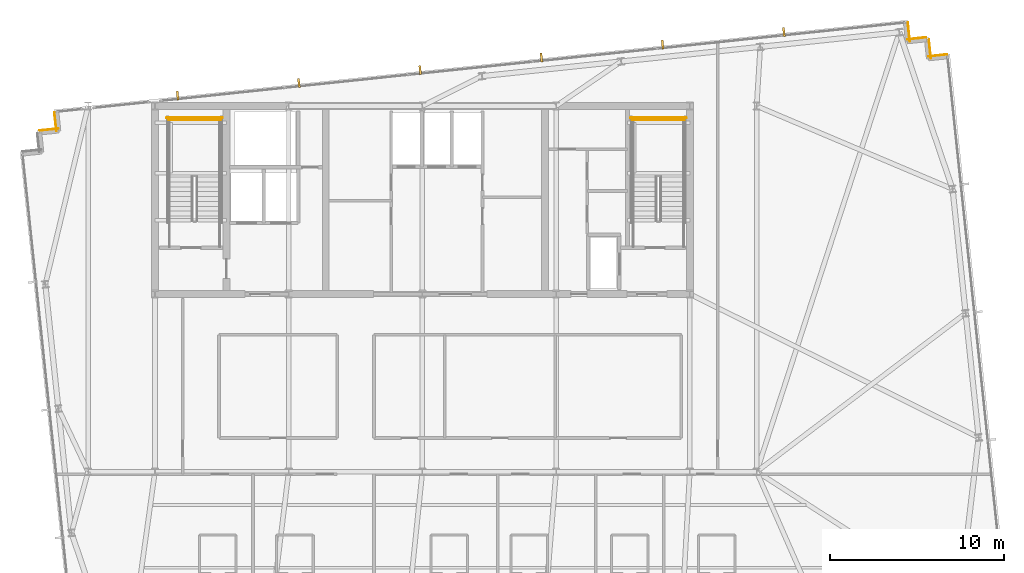
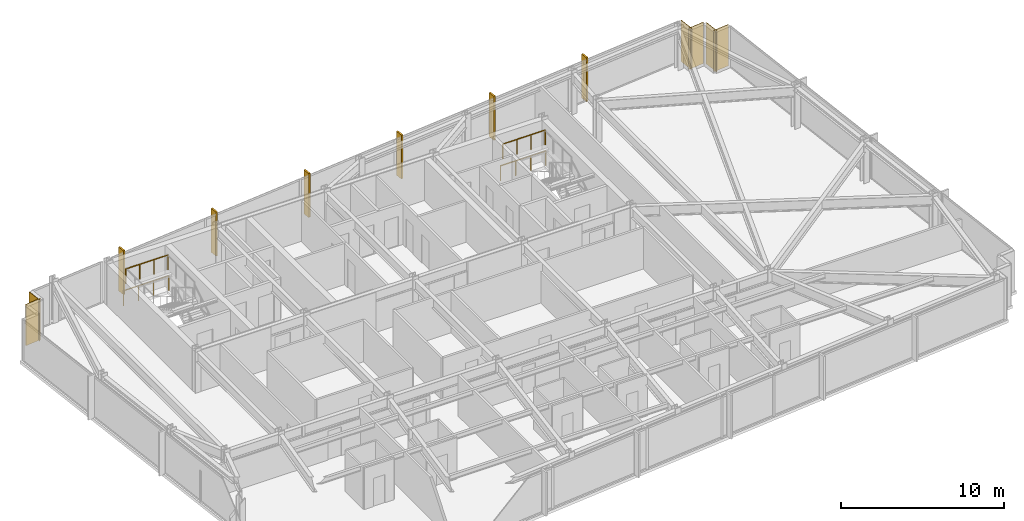
# One storey, part 33 of 33: 6 coverings, 6 shading devices, 4 railings.
"""IFC4 building model written with IfcOpenShell, lengths in metres."""

from ifc_helpers import new_model, si_unit, direction, frame, frame_2d, origin, origin_2d, place, context, subcontext, project, spatial, rectangle, circle, extrude, material, layer, layer_set, type_object, element, save


model = new_model("IFC4")

# Units and contexts
model_context = context("Model", 3, precision=1e-05, world=origin(), true_north=direction((0.0, 1.0)))
body_context = subcontext(model_context, "Body", "Model", "MODEL_VIEW")
ifc_project = project(units=[si_unit("LENGTHUNIT", "METRE"), si_unit("AREAUNIT", "SQUARE_METRE"), si_unit("VOLUMEUNIT", "CUBIC_METRE"), si_unit("PLANEANGLEUNIT", "RADIAN"), si_unit("MASSUNIT", "GRAM", prefix="KILO")], contexts=[model_context])

# Site, building, storey
site_placement = place(None, origin())
site = spatial("IfcSite", under=ifc_project, at=site_placement, CompositionType="ELEMENT")
building_placement = place(site_placement, origin())
building = spatial("IfcBuilding", under=site, at=building_placement, Name="Yelkora Congress Tower", CompositionType="ELEMENT")
storey_placement = place(building_placement, frame((0.0, 0.0, 240.800048828125)))
storey = spatial("IfcBuildingStorey", under=building, at=storey_placement, Name="L67", CompositionType="ELEMENT", Elevation=240.800048828125)

# Coverings
ifc_material_1 = material(Name="Anatolian bush-hammered limestone", Category="masonry")
ifc_layer_1 = layer(ifc_material_1, 0.0400390625)
ifc_layer_set_1 = layer_set([ifc_layer_1], Name="Anatolian bush-hammered limestone")
covering_type = type_object("IfcCoveringType", Name="COV-CLAD-SPANDREL-40", PredefinedType="CLADDING", material=ifc_layer_set_1)
for number, where, z_axis, x_axis, name in (
    (1, (16.406005859375, 44.7880859375, 0.0), (0.0, 0.0, 1.0), (0.994544300928, 0.104315068386, 0.0), "L67 Anatolian Limestone Cladding EW-L67-SR08"),
    (2, (17.379638671875, 44.75439453125, 0.0), (0.0, 0.0, 1.0), (-0.104534592565, 0.994521251134, 0.0), "L67 Anatolian Limestone Cladding EW-L67-SR09"),
    (3, (66.284912109375, 51.000732421875, 0.0), (0.0, 0.0, 1.0), (0.104534592565, -0.994521251134, 0.0), "L67 Anatolian Limestone Cladding EW-L67-SR11"),
):
    element("IfcCovering", number, at=place(storey_placement, frame(where, z_axis=z_axis, x_axis=x_axis)), inside=storey, type_object=covering_type, Name=name, PredefinedType="CLADDING", context=body_context, shape_type="SweptSolid", body=[
        extrude(rectangle(XDim=1.10009765625, YDim=0.0400390625, at=frame_2d((0.550048828125, 0.0))), origin(), (0.0, 0.0, 1.0), 3.079833984375),
    ])
covering_placement = place(storey_placement, frame((66.25146484375, 50.02685546875, 0.0), z_axis=(0.0, 0.0, 1.0), x_axis=(0.994518825066, 0.104557671117, 0.0)))
element("IfcCovering", 4, at=covering_placement, inside=storey, type_object=covering_type, Name="L67 Anatolian Limestone Cladding EW-L67-SR12", PredefinedType="CLADDING", context=body_context, shape_type="SweptSolid", body=[
    extrude(rectangle(XDim=1.099853515625, YDim=0.0400390625, at=frame_2d((0.5498046875, 0.0))), origin(), (0.0, 0.0, 1.0), 3.079833984375),
])
for number, where, z_axis, x_axis, name in (
    (5, (67.49365234375, 50.021728515625, 0.0), (0.0, 0.0, 1.0), (0.104534592565, -0.994521251134, 0.0), "L67 Anatolian Limestone Cladding EW-L67-SR13"),
    (6, (67.460205078125, 49.0478515625, 0.0), (0.0, 0.0, 1.0), (0.994521251134, 0.104534592565, 0.0), "L67 Anatolian Limestone Cladding EW-L67-SR14"),
):
    element("IfcCovering", number, at=place(storey_placement, frame(where, z_axis=z_axis, x_axis=x_axis)), inside=storey, type_object=covering_type, Name=name, PredefinedType="CLADDING", context=body_context, shape_type="SweptSolid", body=[
        extrude(rectangle(XDim=1.10009765625, YDim=0.0400390625, at=frame_2d((0.550048828125, 0.0))), origin(), (0.0, 0.0, 1.0), 3.079833984375),
    ])

# Railings
ifc_material_2 = material(Name="Painted galvanised steel stair well guard with vertical infill", Category="steel")
ifc_layer_2 = layer(ifc_material_2, 0.06005859375)
ifc_layer_set_2 = layer_set([ifc_layer_2], Name="Painted galvanised steel stair well guard with vertical infill")
railing_type = type_object("IfcRailingType", Name="RAIL-STAIR-GUARD-1120", PredefinedType="GUARDRAIL", material=ifc_layer_set_2)
railing_1_placement = place(storey_placement, frame((26.820068359375, 45.419921875, 1.64990234375)))
element("IfcRailing", 7, at=railing_1_placement, inside=storey, type_object=railing_type, Name="ST-01 L67 Stair Well Guardrail 5", PredefinedType="GUARDRAIL", context=body_context, shape_type="SweptSolid", body=[
    extrude(circle(Radius=0.02392578125, at=origin_2d()), frame((0.0, 0.0, 1.09619140625), z_axis=(-1.0, 0.0, 0.0), x_axis=(0.0, -1.0, 0.0)), (0.0, 0.0, 1.0), 3.0),
    extrude(circle(Radius=0.02099609375, at=origin_2d()), origin(), (0.0, 0.0, 1.0), 1.072021484375),
    extrude(circle(Radius=0.02099609375, at=origin_2d()), frame((-1.0, 0.0, 0.0)), (0.0, 0.0, 1.0), 1.072021484375),
    extrude(circle(Radius=0.02099609375, at=origin_2d()), frame((-2.0, 0.0, 0.0)), (0.0, 0.0, 1.0), 1.072021484375),
    extrude(circle(Radius=0.02099609375, at=origin_2d()), frame((-3.0, 0.0, 0.0)), (0.0, 0.0, 1.0), 1.072021484375),
])
railing_2_placement = place(storey_placement, frame((26.919921875, 45.52001953125, 0.0)))
element("IfcRailing", 8, at=railing_2_placement, inside=storey, type_object=railing_type, Name="ST-01 L67 Stair Well Guardrail 12", PredefinedType="GUARDRAIL", context=body_context, shape_type="SweptSolid", body=[
    extrude(circle(Radius=0.02392578125, at=origin_2d()), frame((0.0, 0.0, 1.09619140625), z_axis=(-1.0, 0.0, 0.0), x_axis=(0.0, -1.0, 0.0)), (0.0, 0.0, 1.0), 3.199951171875),
    extrude(circle(Radius=0.02099609375, at=origin_2d()), origin(), (0.0, 0.0, 1.0), 1.072021484375),
    extrude(circle(Radius=0.02099609375, at=origin_2d()), frame((-1.066650390625, 0.0, 0.0)), (0.0, 0.0, 1.0), 1.072021484375),
    extrude(circle(Radius=0.02099609375, at=origin_2d()), frame((-2.13330078125, 0.0, 0.0)), (0.0, 0.0, 1.0), 1.072021484375),
    extrude(circle(Radius=0.02099609375, at=origin_2d()), frame((-3.199951171875, 0.0, 0.0)), (0.0, 0.0, 1.0), 1.072021484375),
])
railing_3_placement = place(storey_placement, frame((53.4599609375, 45.419921875, 1.64990234375)))
element("IfcRailing", 9, at=railing_3_placement, inside=storey, type_object=railing_type, Name="ST-02 L67 Stair Well Guardrail 5", PredefinedType="GUARDRAIL", context=body_context, shape_type="SweptSolid", body=[
    extrude(circle(Radius=0.02392578125, at=origin_2d()), frame((0.0, 0.0, 1.09619140625), z_axis=(-1.0, 0.0, 0.0), x_axis=(0.0, -1.0, 0.0)), (0.0, 0.0, 1.0), 3.0),
    extrude(circle(Radius=0.02099609375, at=origin_2d()), origin(), (0.0, 0.0, 1.0), 1.072021484375),
    extrude(circle(Radius=0.02099609375, at=origin_2d()), frame((-1.0, 0.0, 0.0)), (0.0, 0.0, 1.0), 1.072021484375),
    extrude(circle(Radius=0.02099609375, at=origin_2d()), frame((-2.0, 0.0, 0.0)), (0.0, 0.0, 1.0), 1.072021484375),
    extrude(circle(Radius=0.02099609375, at=origin_2d()), frame((-3.0, 0.0, 0.0)), (0.0, 0.0, 1.0), 1.072021484375),
])
railing_4_placement = place(storey_placement, frame((53.56005859375, 45.52001953125, 0.0)))
element("IfcRailing", 10, at=railing_4_placement, inside=storey, type_object=railing_type, Name="ST-02 L67 Stair Well Guardrail 12", PredefinedType="GUARDRAIL", context=body_context, shape_type="SweptSolid", body=[
    extrude(circle(Radius=0.02392578125, at=origin_2d()), frame((0.0, 0.0, 1.09619140625), z_axis=(-1.0, 0.0, 0.0), x_axis=(0.0, -1.0, 0.0)), (0.0, 0.0, 1.0), 3.199951171875),
    extrude(circle(Radius=0.02099609375, at=origin_2d()), origin(), (0.0, 0.0, 1.0), 1.072021484375),
    extrude(circle(Radius=0.02099609375, at=origin_2d()), frame((-1.066650390625, 0.0, 0.0)), (0.0, 0.0, 1.0), 1.072021484375),
    extrude(circle(Radius=0.02099609375, at=origin_2d()), frame((-2.13330078125, 0.0, 0.0)), (0.0, 0.0, 1.0), 1.072021484375),
    extrude(circle(Radius=0.02099609375, at=origin_2d()), frame((-3.199951171875, 0.0, 0.0)), (0.0, 0.0, 1.0), 1.072021484375),
])

# Shading devices
ifc_material_3 = material(Name="Champagne anodised aluminium", Category="aluminium")
ifc_layer_3 = layer(ifc_material_3, 3.300048828125)
ifc_layer_set_3 = layer_set([ifc_layer_3], Name="Champagne anodised aluminium")
shading_device_type = type_object("IfcShadingDeviceType", Name="SHD-FIN-ALU-520", PredefinedType="USERDEFINED", material=ifc_layer_set_3)
for number, where, z_axis, x_axis, name in (
    (11, (24.342529296875, 46.79345703125, -0.0302734375), (0.0, 0.0, 1.0), (0.994521895368, 0.104528463268, 0.0), "L67 Vertical Anodised Solar Fin 10-1"),
    (12, (31.30712890625, 47.525390625, -0.0302734375), (0.0, 0.0, 1.0), (0.994521895368, 0.104528463268, 0.0), "L67 Vertical Anodised Solar Fin 10-2"),
    (13, (38.271484375, 48.257568359375, -0.0302734375), (0.0, 0.0, 1.0), (0.994521895368, 0.104528463268, 0.0), "L67 Vertical Anodised Solar Fin 10-3"),
    (14, (45.236083984375, 48.989501953125, -0.0302734375), (0.0, 0.0, 1.0), (0.994521895368, 0.104528463268, 0.0), "L67 Vertical Anodised Solar Fin 10-4"),
    (15, (52.20068359375, 49.721435546875, -0.0302734375), (0.0, 0.0, 1.0), (0.994521895368, 0.104528463268, 0.0), "L67 Vertical Anodised Solar Fin 10-5"),
    (16, (59.1650390625, 50.45361328125, -0.0302734375), (0.0, 0.0, 1.0), (0.994521895368, 0.104528463268, 0.0), "L67 Vertical Anodised Solar Fin 10-6"),
):
    element("IfcShadingDevice", number, at=place(storey_placement, frame(where, z_axis=z_axis, x_axis=x_axis)), inside=storey, type_object=shading_device_type, Name=name, ObjectType="FIN", PredefinedType="USERDEFINED", context=body_context, shape_type="SweptSolid", body=[
        extrude(rectangle(XDim=0.1201171875, YDim=0.52001953125, at=origin_2d()), origin(), (0.0, 0.0, 1.0), 3.280029296875),
    ])

save(model, "model.ifc")
